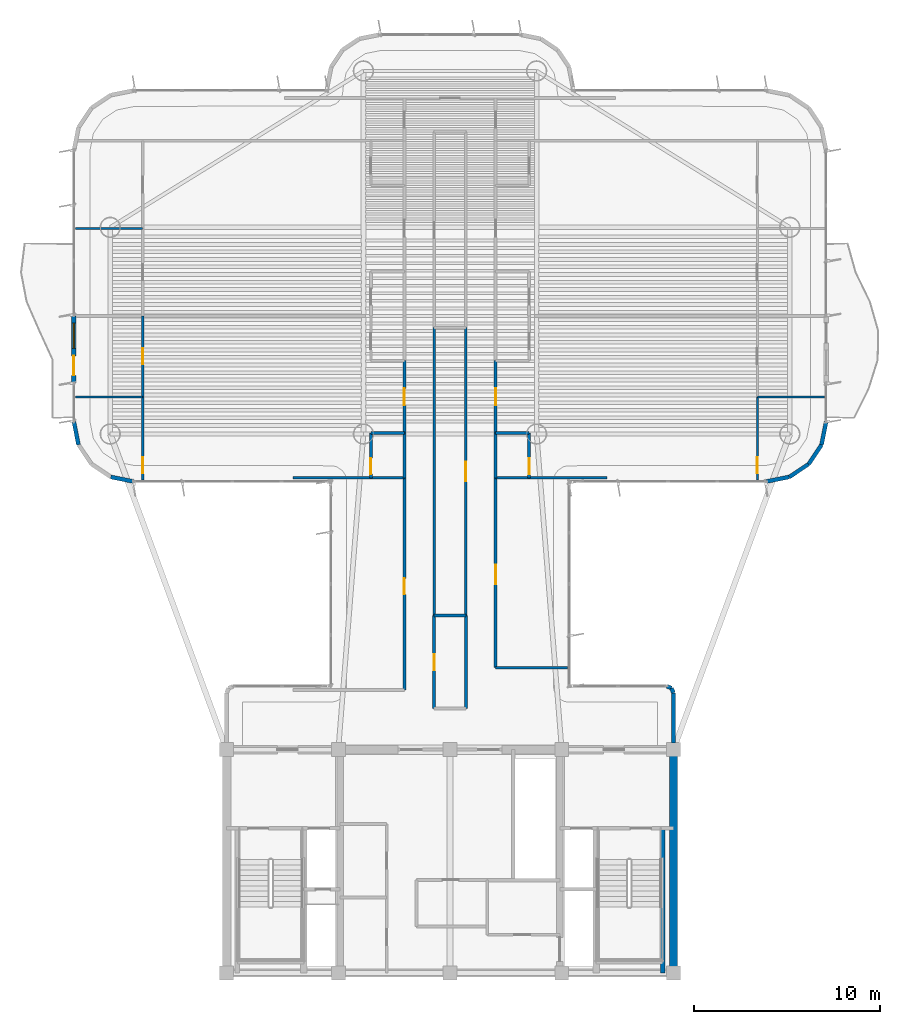
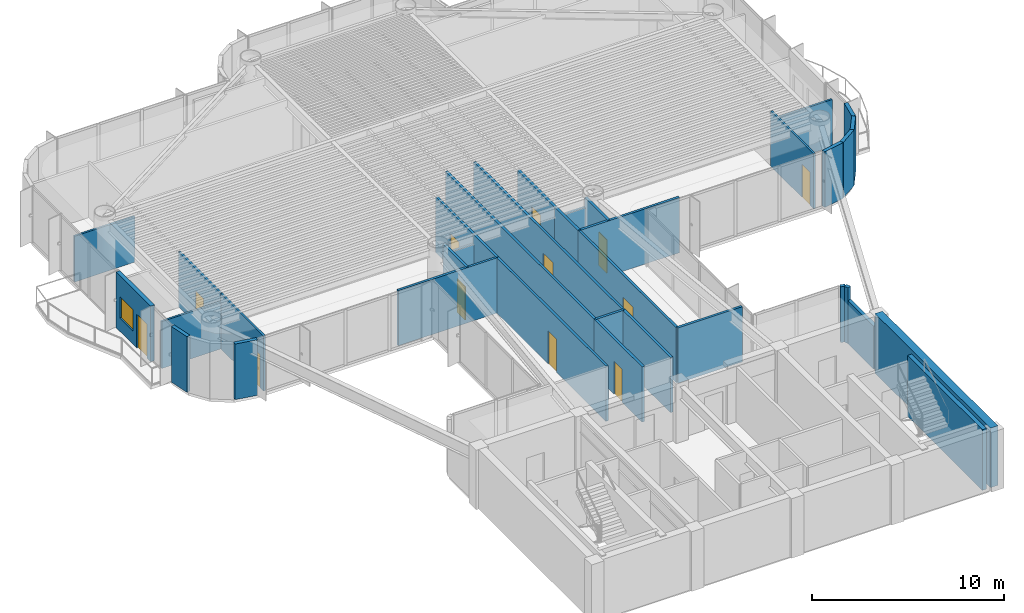
# One storey, part 10 of 15: 36 walls, 12 doors, 1 window, 13 openings.
"""IFC4 building model written with IfcOpenShell, lengths in metres."""

from ifc_helpers import new_model, si_unit, direction, frame, frame_2d, origin, origin_2d, place, context, subcontext, project, spatial, rectangle, extrude, source, transform, mapped, material, layer, layer_set, type_object, element, fill, save


model = new_model("IFC4")

# Units and contexts
model_context = context("Model", 3, precision=1e-05, world=origin(), true_north=direction((0.0, 1.0)))
body_context = subcontext(model_context, "Body", "Model", "MODEL_VIEW")
ifc_project = project(units=[si_unit("LENGTHUNIT", "METRE"), si_unit("AREAUNIT", "SQUARE_METRE"), si_unit("VOLUMEUNIT", "CUBIC_METRE"), si_unit("PLANEANGLEUNIT", "RADIAN"), si_unit("MASSUNIT", "GRAM", prefix="KILO")], contexts=[model_context])

# Site, building, storey
site_placement = place(None, origin())
site = spatial("IfcSite", under=ifc_project, at=site_placement, CompositionType="ELEMENT")
building_placement = place(site_placement, origin())
building = spatial("IfcBuilding", under=site, at=building_placement, Name="Brelvock Crest Care Tower", CompositionType="ELEMENT")
storey_placement = place(building_placement, frame((0.0, 0.0, 160.199951171875)))
storey = spatial("IfcBuildingStorey", under=building, at=storey_placement, Name="L40", CompositionType="ELEMENT", Elevation=160.199951171875)

# Walls
ifc_material_1 = material(Name="Concrete S65 (65 MPa)", Category="concrete")
ifc_layer_1 = layer(ifc_material_1, 0.449951171875, Name="WL-CS3")
ifc_layer_set_1 = layer_set([ifc_layer_1], Name="Concrete S65 (65 MPa)")
wall_type_1 = type_object("IfcWallType", Name="WL-CS3", PredefinedType="SHEAR", material=ifc_layer_set_1)
wall_1_placement = place(storey_placement, frame((48.0, 18.0, 0.0), z_axis=(0.0, 0.0, 1.0), x_axis=(0.0, -1.0, 0.0)))
element("IfcWall", 1, at=wall_1_placement, inside=storey, type_object=wall_type_1, Name="L40 Core East Shear Wall", PredefinedType="SHEAR", context=body_context, shape_type="SweptSolid", body=[
    extrude(rectangle(XDim=12.0, YDim=0.449951171875, at=frame_2d((6.0, 0.0))), origin(), (0.0, 0.0, 1.0), 3.780029296875),
])
ifc_material_2 = material(Name="Concrete S80 (80 MPa)", Category="concrete")
ifc_layer_2 = layer(ifc_material_2, 0.25, Name="WL-CS6")
ifc_layer_set_2 = layer_set([ifc_layer_2], Name="Concrete S80 (80 MPa)")
wall_type_2 = type_object("IfcWallType", Name="WL-CS6", PredefinedType="SHEAR", material=ifc_layer_set_2)
wall_2_placement = place(storey_placement, frame((47.419921875, 6.0, 0.0), z_axis=(0.0, 0.0, 1.0), x_axis=(0.0, 1.0, 0.0)))
element("IfcWall", 2, at=wall_2_placement, inside=storey, type_object=wall_type_2, Name="L40 Core Stair ST-2 East Shear Wall", PredefinedType="SHEAR", context=body_context, shape_type="SweptSolid", body=[
    extrude(rectangle(XDim=7.780029296875, YDim=0.25, at=frame_2d((3.89013671875, 0.0))), origin(), (0.0, 0.0, 1.0), 3.85009765625),
])

# Wall, openings, door, window
ifc_material_3 = material(Name="Precast concrete N40 (40 MPa)", Category="concrete")
ifc_layer_3 = layer(ifc_material_3, 0.239990234375, Name="WL-EX1")
ifc_layer_set_3 = layer_set([ifc_layer_3], Name="Precast concrete N40 (40 MPa)")
wall_type_3 = type_object("IfcWallType", Name="WL-EX1", PredefinedType="SOLIDWALL", material=ifc_layer_set_3)
wall_3_placement = place(storey_placement, frame((15.800048828125, 37.699951171875, 0.0), z_axis=(0.0, 0.0, 1.0), x_axis=(0.0, 1.0, 0.0)))
wall_3 = element("IfcWall", 3, at=wall_3_placement, inside=storey, type_object=wall_type_3, Name="L40 Exterior Spandrel Wall WL-BAL-L40-W", PredefinedType="SOLIDWALL", context=body_context, shape_type="SweptSolid", body=[
    extrude(rectangle(XDim=3.60009765625, YDim=0.239990234375, at=frame_2d((1.800048828125, 0.0))), origin(), (0.0, 0.0, 1.0), 3.530029296875),
])
opening_1_placement = place(wall_3_placement, frame((0.39990234375, 0.0, 0.0)))
opening_1 = element("IfcOpeningElement", 4, at=opening_1_placement, cuts=wall_3, Name="Opening BD-1", PredefinedType="OPENING", context=body_context, shape_type="SweptSolid", body=[
    extrude(rectangle(XDim=1.050048828125, YDim=2.14990234375, at=origin_2d()), frame((0.52490234375, 0.1298828125, 1.074951171875), z_axis=(0.0, -1.0, 0.0), x_axis=(1.0, 0.0, 0.0)), (0.0, 0.0, 1.0), 0.260009765625),
])
opening_2_placement = place(wall_3_placement, frame((1.85009765625, 0.0, 0.85009765625)))
opening_2 = element("IfcOpeningElement", 5, at=opening_2_placement, cuts=wall_3, Name="Opening W-01", PredefinedType="OPENING", context=body_context, shape_type="SweptSolid", body=[
    extrude(rectangle(XDim=1.35009765625, YDim=1.35009765625, at=origin_2d()), frame((0.675048828125, 0.1298828125, 0.675048828125), z_axis=(0.0, -1.0, 0.0), x_axis=(1.0, 0.0, 0.0)), (0.0, 0.0, 1.0), 0.260009765625),
])
ifc_material_4 = material(Name="Dark Glass Double Glazed Low-E", Category="glass")
door_type_1 = type_object("IfcDoorType", Name="DR-BAL1", OperationType="NOTDEFINED", PredefinedType="DOOR", material=ifc_material_4)
shared_shape_1 = source(origin(), body_context, "Body", "SweptSolid", [
    extrude(rectangle(XDim=1.050048828125, YDim=2.14990234375, at=origin_2d()), frame((0.52490234375, 0.02490234375, 1.074951171875), z_axis=(0.0, -1.0, 0.0), x_axis=(1.0, 0.0, 0.0)), (0.0, 0.0, 1.0), 0.050048828125),
])
door_1_placement = place(opening_1_placement, origin())
door_1 = element("IfcDoor", 6, at=door_1_placement, inside=storey, type_object=door_type_1, Name="L40 W Wave Balcony Glazed Door", OperationType="SINGLE_SWING_LEFT", OverallHeight=2.14990234375, OverallWidth=1.050048828125, PredefinedType="DOOR", context=body_context, shape_type="MappedRepresentation", body=[
    mapped(shared_shape_1, transform((0.0, 0.0, 0.0), x_axis=(1.0, 0.0, 0.0), y_axis=(0.0, 1.0, 0.0), z_axis=(0.0, 0.0, 1.0), scale=1.0)),
])
fill(opening_1, door_1)
window_type = type_object("IfcWindowType", Name="WN-EX1", PartitioningType="SINGLE_PANEL", PredefinedType="WINDOW", material=ifc_material_4)
shared_shape_2 = source(origin(), body_context, "Body", "SweptSolid", [
    extrude(rectangle(XDim=1.35009765625, YDim=1.35009765625, at=origin_2d()), frame((0.675048828125, 0.030029296875, 0.675048828125), z_axis=(0.0, -1.0, 0.0), x_axis=(1.0, 0.0, 0.0)), (0.0, 0.0, 1.0), 0.06005859375),
])
window_placement = place(opening_2_placement, origin())
window = element("IfcWindow", 7, at=window_placement, inside=storey, type_object=window_type, Name="L40 W Suite Casement Window", OverallHeight=1.35009765625, OverallWidth=1.35009765625, PartitioningType="SINGLE_PANEL", PredefinedType="WINDOW", context=body_context, shape_type="MappedRepresentation", body=[
    mapped(shared_shape_2, transform((0.0, 0.0, 0.0), x_axis=(1.0, 0.0, 0.0), y_axis=(0.0, 1.0, 0.0), z_axis=(0.0, 0.0, 1.0), scale=1.0)),
])
fill(opening_2, window)

# Walls
ifc_layer_4 = layer(ifc_material_3, 0.215087890625, Name="WL-EX2")
ifc_layer_set_4 = layer_set([ifc_layer_4], Name="Precast concrete N40 (40 MPa)")
wall_type_4 = type_object("IfcWallType", Name="WL-EX2", PredefinedType="SOLIDWALL", material=ifc_layer_set_4)
wall_4_placement = place(storey_placement, frame((47.8974609375, 21.297607421875, 0.0), z_axis=(0.0, 0.0, 1.0), x_axis=(0.382673670509, -0.923883575944, 0.0)))
element("IfcWall", 8, at=wall_4_placement, inside=storey, type_object=wall_type_4, Name="L40 Rounded Corner Wall 00", PredefinedType="SOLIDWALL", context=body_context, shape_type="SweptSolid", body=[
    extrude(rectangle(XDim=0.26806640625, YDim=0.215087890625, at=frame_2d((0.134033203125, 0.0))), origin(), (0.0, 0.0, 1.0), 3.530029296875),
])
wall_5_placement = place(storey_placement, frame((48.0, 21.050048828125, 0.0), z_axis=(0.0, 0.0, 1.0), x_axis=(0.0, -1.0, 0.0)))
element("IfcWall", 9, at=wall_5_placement, inside=storey, type_object=wall_type_4, Name="L40 Rounded Corner Wall 01", PredefinedType="SOLIDWALL", context=body_context, shape_type="SweptSolid", body=[
    extrude(rectangle(XDim=2.695068359375, YDim=0.215087890625, at=frame_2d((1.34765625, 0.0))), origin(), (0.0, 0.0, 1.0), 2.718017578125),
])
for number, where, z_axis, x_axis, name in (
    (10, (19.0, 32.39990234375, 0.0), (0.0, 0.0, 1.0), (-0.980775717779, 0.195138390419, 0.0), "L40 Rounded Corner Wall 13"),
    (11, (16.043701171875, 34.37548828125, 0.0), (0.0, 0.0, 1.0), (-0.195138390419, 0.980775717779, 0.0), "L40 Rounded Corner Wall 16"),
    (12, (56.199951171875, 35.60009765625, 0.0), (0.0, 0.0, 1.0), (-0.195138390419, -0.980775717779, 0.0), "L40 Rounded Corner Wall 40"),
    (13, (55.956298828125, 34.37548828125, 0.0), (0.0, 0.0, 1.0), (-0.555557312883, -0.831478245117, 0.0), "L40 Rounded Corner Wall 41"),
    (14, (55.2626953125, 33.33740234375, 0.0), (0.0, 0.0, 1.0), (-0.831387912822, -0.555692485475, 0.0), "L40 Rounded Corner Wall 42"),
    (15, (54.224609375, 32.6435546875, 0.0), (0.0, 0.0, 1.0), (-0.980775717779, -0.195138390419, 0.0), "L40 Rounded Corner Wall 43"),
):
    element("IfcWall", number, at=place(storey_placement, frame(where, z_axis=z_axis, x_axis=x_axis)), inside=storey, type_object=wall_type_4, Name=name, PredefinedType="SOLIDWALL", context=body_context, shape_type="SweptSolid", body=[
        extrude(rectangle(XDim=1.24853515625, YDim=0.215087890625, at=frame_2d((0.624267578125, 0.0))), origin(), (0.0, 0.0, 1.0), 3.530029296875),
    ])
wall_6_placement = place(storey_placement, frame((47.64990234375, 21.39990234375, 0.0), z_axis=(0.0, 0.0, 1.0), x_axis=(0.924205486139, -0.381895560841, 0.0)))
element("IfcWall", 16, at=wall_6_placement, inside=storey, type_object=wall_type_4, Name="L40 Rounded Corner Wall 47", PredefinedType="SOLIDWALL", context=body_context, shape_type="SweptSolid", body=[
    extrude(rectangle(XDim=0.267822265625, YDim=0.215087890625, at=frame_2d((0.1337890625, 0.0))), origin(), (0.0, 0.0, 1.0), 3.530029296875),
])
ifc_material_5 = material(Name="Masonry Blockwork Acoustic Partition", Category="masonry")
ifc_layer_5 = layer(ifc_material_5, 0.14990234375, Name="WL-INT1")
ifc_layer_set_5 = layer_set([ifc_layer_5], Name="Masonry Blockwork Acoustic Partition")
wall_type_5 = type_object("IfcWallType", Name="WL-INT1", PredefinedType="PARTITIONING", material=ifc_layer_set_5)
wall_7_placement = place(storey_placement, frame((38.449951171875, 22.39990234375, 0.0), z_axis=(0.0, 0.0, 1.0), x_axis=(1.0, 0.0, 0.0)))
element("IfcWall", 17, at=wall_7_placement, inside=storey, type_object=wall_type_5, Name="L40 Interior Wall WL-BX-L40-THRE-S", PredefinedType="PARTITIONING", context=body_context, shape_type="SweptSolid", body=[
    extrude(rectangle(XDim=3.8701171875, YDim=0.14990234375, at=frame_2d((1.93505859375, 0.0))), origin(), (0.0, 0.0, 1.0), 3.5),
])
wall_8_placement = place(storey_placement, frame((27.55712890625, 32.60009765625, 0.0), z_axis=(0.0, 0.0, 1.0), x_axis=(1.0, 0.0, 0.0)))
element("IfcWall", 18, at=wall_8_placement, inside=storey, type_object=wall_type_5, Name="L40 Interior Wall WL-BX-L40-FL-WF1-S2", PredefinedType="PARTITIONING", context=body_context, shape_type="SweptSolid", body=[
    extrude(rectangle(XDim=5.992919921875, YDim=0.14990234375, at=frame_2d((2.99658203125, 0.0))), origin(), (0.0, 0.0, 1.0), 3.5),
])
wall_9_placement = place(storey_placement, frame((38.449951171875, 32.60009765625, 0.0), z_axis=(0.0, 0.0, 1.0), x_axis=(1.0, 0.0, 0.0)))
element("IfcWall", 19, at=wall_9_placement, inside=storey, type_object=wall_type_5, Name="L40 Interior Wall WL-BX-L40-FL-EF1-S", PredefinedType="PARTITIONING", context=body_context, shape_type="SweptSolid", body=[
    extrude(rectangle(XDim=5.993408203125, YDim=0.14990234375, at=frame_2d((2.99658203125, 0.0))), origin(), (0.0, 0.0, 1.0), 3.5),
])

# Wall, opening, door
wall_10_placement = place(storey_placement, frame((33.550048828125, 21.199951171875, 0.0), z_axis=(0.0, 0.0, 1.0), x_axis=(0.0, 1.0, 0.0)))
wall_10 = element("IfcWall", 20, at=wall_10_placement, inside=storey, type_object=wall_type_5, Name="L40 Interior Wall WL-RM-L40-THRW", PredefinedType="PARTITIONING", context=body_context, shape_type="SweptSolid", body=[
    extrude(rectangle(XDim=11.400146484375, YDim=0.14990234375, at=frame_2d((5.7001953125, 0.0))), origin(), (0.0, 0.0, 1.0), 3.5),
])
opening_3_placement = place(wall_10_placement, frame((5.139892578125, 0.0, 0.0)))
opening_3 = element("IfcOpeningElement", 21, at=opening_3_placement, cuts=wall_10, Name="Opening ID-1", PredefinedType="OPENING", context=body_context, shape_type="SweptSolid", body=[
    extrude(rectangle(XDim=0.860107421875, YDim=2.10009765625, at=origin_2d()), frame((0.43017578125, 0.0849609375, 1.050048828125), z_axis=(0.0, -1.0, 0.0), x_axis=(1.0, 0.0, 0.0)), (0.0, 0.0, 1.0), 0.169921875),
])
ifc_material_6 = material(Name="Engineered Hardwood Timber", Category="wood")
door_type_2 = type_object("IfcDoorType", Name="DR-INT1", OperationType="NOTDEFINED", PredefinedType="DOOR", material=ifc_material_6)
shared_shape_3 = source(origin(), body_context, "Body", "SweptSolid", [
    extrude(rectangle(XDim=0.860107421875, YDim=2.10009765625, at=origin_2d()), frame((0.43017578125, 0.02490234375, 1.050048828125), z_axis=(0.0, -1.0, 0.0), x_axis=(1.0, 0.0, 0.0)), (0.0, 0.0, 1.0), 0.050048828125),
])
door_2_placement = place(opening_3_placement, origin())
door_2 = element("IfcDoor", 22, at=door_2_placement, inside=storey, type_object=door_type_2, Name="L40 Quiet Family Consultation Room Door THRW", OperationType="SINGLE_SWING_LEFT", OverallHeight=2.10009765625, OverallWidth=0.860107421875, PredefinedType="DOOR", context=body_context, shape_type="MappedRepresentation", body=[
    mapped(shared_shape_3, transform((0.0, 0.0, 0.0), x_axis=(1.0, 0.0, 0.0), y_axis=(0.0, 1.0, 0.0), z_axis=(0.0, 0.0, 1.0), scale=1.0)),
])
fill(opening_3, door_2)

wall_11_placement = place(storey_placement, frame((33.550048828125, 35.0, 0.0), z_axis=(0.0, 0.0, 1.0), x_axis=(0.0, 1.0, 0.0)))
wall_11 = element("IfcWall", 23, at=wall_11_placement, inside=storey, type_object=wall_type_5, Name="L40 Interior Wall WL-UENT-L40-WF1", PredefinedType="PARTITIONING", context=body_context, shape_type="SweptSolid", body=[
    extrude(rectangle(XDim=3.887939453125, YDim=0.14990234375, at=frame_2d((1.94384765625, 0.0))), origin(), (0.0, 0.0, 1.0), 3.5),
])
opening_4_placement = place(wall_11_placement, frame((1.48388671875, 0.0, 0.0)))
opening_4 = element("IfcOpeningElement", 24, at=opening_4_placement, cuts=wall_11, Name="Opening AD-1", PredefinedType="OPENING", context=body_context, shape_type="SweptSolid", body=[
    extrude(rectangle(XDim=0.919921875, YDim=2.10009765625, at=origin_2d()), frame((0.4599609375, 0.0849609375, 1.050048828125), z_axis=(0.0, -1.0, 0.0), x_axis=(1.0, 0.0, 0.0)), (0.0, 0.0, 1.0), 0.169921875),
])
door_type_3 = type_object("IfcDoorType", Name="DR-APT1", OperationType="NOTDEFINED", PredefinedType="DOOR", material=ifc_material_6)
shared_shape_4 = source(origin(), body_context, "Body", "SweptSolid", [
    extrude(rectangle(XDim=0.919921875, YDim=2.10009765625, at=origin_2d()), frame((0.4599609375, 0.02490234375, 1.050048828125), z_axis=(0.0, -1.0, 0.0), x_axis=(1.0, 0.0, 0.0)), (0.0, 0.0, 1.0), 0.050048828125),
])
door_3_placement = place(opening_4_placement, origin())
door_3 = element("IfcDoor", 25, at=door_3_placement, inside=storey, type_object=door_type_3, Name="L40 Apartment Entrance WF1", OperationType="SINGLE_SWING_LEFT", OverallHeight=2.10009765625, OverallWidth=0.919921875, PredefinedType="DOOR", context=body_context, shape_type="MappedRepresentation", body=[
    mapped(shared_shape_4, transform((0.0, 0.0, 0.0), x_axis=(1.0, 0.0, 0.0), y_axis=(0.0, 1.0, 0.0), z_axis=(0.0, 0.0, 1.0), scale=1.0)),
])
fill(opening_4, door_3)

# Wall
wall_12_placement = place(storey_placement, frame((35.14990234375, 25.199951171875, 0.0), z_axis=(0.0, 0.0, 1.0), x_axis=(0.0, 1.0, 0.0)))
element("IfcWall", 26, at=wall_12_placement, inside=storey, type_object=wall_type_5, Name="L40 Interior Wall WL-BX-L40-ISNS-W", PredefinedType="PARTITIONING", context=body_context, shape_type="SweptSolid", body=[
    extrude(rectangle(XDim=15.4599609375, YDim=0.14990234375, at=frame_2d((7.72998046875, 0.0))), origin(), (0.0, 0.0, 1.0), 3.5),
])

# Wall, opening, door
wall_13_placement = place(storey_placement, frame((36.85009765625, 25.199951171875, 0.0), z_axis=(0.0, 0.0, 1.0), x_axis=(0.0, 1.0, 0.0)))
wall_13 = element("IfcWall", 27, at=wall_13_placement, inside=storey, type_object=wall_type_5, Name="L40 Interior Wall WL-RM-L40-ISNS", PredefinedType="PARTITIONING", context=body_context, shape_type="SweptSolid", body=[
    extrude(rectangle(XDim=15.4599609375, YDim=0.14990234375, at=frame_2d((7.72998046875, 0.0))), origin(), (0.0, 0.0, 1.0), 3.5),
])
opening_5_placement = place(wall_13_placement, frame((7.205078125, 0.0, 0.0)))
opening_5 = element("IfcOpeningElement", 28, at=opening_5_placement, cuts=wall_13, Name="Opening CLD-1", PredefinedType="OPENING", context=body_context, shape_type="SweptSolid", body=[
    extrude(rectangle(XDim=1.050048828125, YDim=2.10009765625, at=origin_2d()), frame((0.52490234375, 0.0849609375, 1.050048828125), z_axis=(0.0, -1.0, 0.0), x_axis=(1.0, 0.0, 0.0)), (0.0, 0.0, 1.0), 0.169921875),
])
door_type_4 = type_object("IfcDoorType", Name="DR-CLN1", OperationType="NOTDEFINED", PredefinedType="DOOR", material=ifc_material_6)
shared_shape_5 = source(origin(), body_context, "Body", "SweptSolid", [
    extrude(rectangle(XDim=1.050048828125, YDim=2.10009765625, at=origin_2d()), frame((0.52490234375, 0.02490234375, 1.050048828125), z_axis=(0.0, -1.0, 0.0), x_axis=(1.0, 0.0, 0.0)), (0.0, 0.0, 1.0), 0.050048828125),
])
door_4_placement = place(opening_5_placement, origin())
door_4 = element("IfcDoor", 29, at=door_4_placement, inside=storey, type_object=door_type_4, Name="L40 Care Concierge and Triage Station Door ISNS", OperationType="SINGLE_SWING_LEFT", OverallHeight=2.10009765625, OverallWidth=1.050048828125, PredefinedType="DOOR", context=body_context, shape_type="MappedRepresentation", body=[
    mapped(shared_shape_5, transform((0.0, 0.0, 0.0), x_axis=(1.0, 0.0, 0.0), y_axis=(0.0, 1.0, 0.0), z_axis=(0.0, 0.0, 1.0), scale=1.0)),
])
fill(opening_5, door_4)

wall_14_placement = place(storey_placement, frame((38.449951171875, 22.39990234375, 0.0), z_axis=(0.0, 0.0, 1.0), x_axis=(0.0, 1.0, 0.0)))
wall_14 = element("IfcWall", 30, at=wall_14_placement, inside=storey, type_object=wall_type_5, Name="L40 Interior Wall WL-RM-L40-THRE", PredefinedType="PARTITIONING", context=body_context, shape_type="SweptSolid", body=[
    extrude(rectangle(XDim=10.2001953125, YDim=0.14990234375, at=frame_2d((5.10009765625, 0.0))), origin(), (0.0, 0.0, 1.0), 3.5),
])
opening_6_placement = place(wall_14_placement, frame((4.47509765625, 0.0, 0.0)))
opening_6 = element("IfcOpeningElement", 31, at=opening_6_placement, cuts=wall_14, Name="Opening CLD-1", PredefinedType="OPENING", context=body_context, shape_type="SweptSolid", body=[
    extrude(rectangle(XDim=1.050048828125, YDim=2.10009765625, at=origin_2d()), frame((0.52490234375, 0.0849609375, 1.050048828125), z_axis=(0.0, -1.0, 0.0), x_axis=(1.0, 0.0, 0.0)), (0.0, 0.0, 1.0), 0.169921875),
])
door_5_placement = place(opening_6_placement, origin())
door_5 = element("IfcDoor", 32, at=door_5_placement, inside=storey, type_object=door_type_4, Name="L40 Allied Health Therapy Room Door THRE", OperationType="SINGLE_SWING_LEFT", OverallHeight=2.10009765625, OverallWidth=1.050048828125, PredefinedType="DOOR", context=body_context, shape_type="MappedRepresentation", body=[
    mapped(shared_shape_5, transform((0.0, 0.0, 0.0), x_axis=(1.0, 0.0, 0.0), y_axis=(0.0, 1.0, 0.0), z_axis=(0.0, 0.0, 1.0), scale=1.0)),
])
fill(opening_6, door_5)

wall_15_placement = place(storey_placement, frame((38.449951171875, 35.0, 0.0), z_axis=(0.0, 0.0, 1.0), x_axis=(0.0, 1.0, 0.0)))
wall_15 = element("IfcWall", 33, at=wall_15_placement, inside=storey, type_object=wall_type_5, Name="L40 Interior Wall WL-UENT-L40-EF1", PredefinedType="PARTITIONING", context=body_context, shape_type="SweptSolid", body=[
    extrude(rectangle(XDim=3.887939453125, YDim=0.14990234375, at=frame_2d((1.94384765625, 0.0))), origin(), (0.0, 0.0, 1.0), 3.5),
])
opening_7_placement = place(wall_15_placement, frame((1.48388671875, 0.0, 0.0)))
opening_7 = element("IfcOpeningElement", 34, at=opening_7_placement, cuts=wall_15, Name="Opening AD-1", PredefinedType="OPENING", context=body_context, shape_type="SweptSolid", body=[
    extrude(rectangle(XDim=0.919921875, YDim=2.10009765625, at=origin_2d()), frame((0.4599609375, 0.0849609375, 1.050048828125), z_axis=(0.0, -1.0, 0.0), x_axis=(1.0, 0.0, 0.0)), (0.0, 0.0, 1.0), 0.169921875),
])
door_6_placement = place(opening_7_placement, origin())
door_6 = element("IfcDoor", 35, at=door_6_placement, inside=storey, type_object=door_type_3, Name="L40 Apartment Entrance EF1", OperationType="SINGLE_SWING_LEFT", OverallHeight=2.10009765625, OverallWidth=0.919921875, PredefinedType="DOOR", context=body_context, shape_type="MappedRepresentation", body=[
    mapped(shared_shape_4, transform((0.0, 0.0, 0.0), x_axis=(1.0, 0.0, 0.0), y_axis=(0.0, 1.0, 0.0), z_axis=(0.0, 0.0, 1.0), scale=1.0)),
])
fill(opening_7, door_6)

# Walls
ifc_material_7 = material(Name="Gypsum Plasterboard Partition", Category="gypsum")
ifc_layer_6 = layer(ifc_material_7, 0.1201171875, Name="WL-INT2")
ifc_layer_set_6 = layer_set([ifc_layer_6], Name="Gypsum Plasterboard Partition")
wall_type_6 = type_object("IfcWallType", Name="WL-INT2", PredefinedType="PARTITIONING", material=ifc_layer_set_6)
for number, where, z_axis, x_axis, name in (
    (36, (15.8798828125, 36.944091796875, 0.0), (0.0, 0.0, 1.0), (1.0, 0.0, 0.0), "L40 Interior Wall WL-UBSP-L40-WF1"),
    (37, (52.510009765625, 36.944091796875, 0.0), (0.0, 0.0, 1.0), (1.0, 0.0, 0.0), "L40 Interior Wall WL-UBSP-L40-EF1"),
):
    element("IfcWall", number, at=place(storey_placement, frame(where, z_axis=z_axis, x_axis=x_axis)), inside=storey, type_object=wall_type_6, Name=name, PredefinedType="PARTITIONING", context=body_context, shape_type="SweptSolid", body=[
        extrude(rectangle(XDim=3.610107421875, YDim=0.1201171875, at=frame_2d((1.80517578125, 0.0))), origin(), (0.0, 0.0, 1.0), 2.98193359375),
    ])
wall_16_placement = place(storey_placement, frame((15.8798828125, 45.993896484375, 0.0), z_axis=(0.0, 0.0, 1.0), x_axis=(1.0, 0.0, 0.0)))
element("IfcWall", 38, at=wall_16_placement, inside=storey, type_object=wall_type_6, Name="L40 Interior Wall WL-UBSP-L40-WF2", PredefinedType="PARTITIONING", context=body_context, shape_type="SweptSolid", body=[
    extrude(rectangle(XDim=3.610107421875, YDim=0.1201171875, at=frame_2d((1.80517578125, 0.0))), origin(), (0.0, 0.0, 1.0), 2.903076171875),
])

# Wall, opening, door
wall_17_placement = place(storey_placement, frame((19.489990234375, 32.47998046875, 0.0), z_axis=(0.0, 0.0, 1.0), x_axis=(0.0, 1.0, 0.0)))
wall_17 = element("IfcWall", 39, at=wall_17_placement, inside=storey, type_object=wall_type_6, Name="L40 Interior Wall WL-UBD1-L40-WF1", PredefinedType="PARTITIONING", context=body_context, shape_type="SweptSolid", body=[
    extrude(rectangle(XDim=4.464111328125, YDim=0.1201171875, at=frame_2d((2.23193359375, 0.0))), origin(), (0.0, 0.0, 1.0), 3.5),
])
opening_8_placement = place(wall_17_placement, frame((0.362060546875, 0.0, 0.0)))
opening_8 = element("IfcOpeningElement", 40, at=opening_8_placement, cuts=wall_17, Name="Opening ID-1", PredefinedType="OPENING", context=body_context, shape_type="SweptSolid", body=[
    extrude(rectangle(XDim=0.860107421875, YDim=2.10009765625, at=origin_2d()), frame((0.43017578125, 0.070068359375, 1.050048828125), z_axis=(0.0, -1.0, 0.0), x_axis=(1.0, 0.0, 0.0)), (0.0, 0.0, 1.0), 0.14013671875),
])
door_7_placement = place(opening_8_placement, origin())
door_7 = element("IfcDoor", 41, at=door_7_placement, inside=storey, type_object=door_type_2, Name="L40 Primary Bedroom Door WF1", OperationType="SINGLE_SWING_RIGHT", OverallHeight=2.10009765625, OverallWidth=0.860107421875, PredefinedType="DOOR", context=body_context, shape_type="MappedRepresentation", body=[
    mapped(shared_shape_3, transform((0.0, 0.0, 0.0), x_axis=(1.0, 0.0, 0.0), y_axis=(0.0, 1.0, 0.0), z_axis=(0.0, 0.0, 1.0), scale=1.0)),
])
fill(opening_8, door_7)

wall_18_placement = place(storey_placement, frame((19.489990234375, 36.944091796875, 0.0), z_axis=(0.0, 0.0, 1.0), x_axis=(0.0, 1.0, 0.0)))
wall_18 = element("IfcWall", 42, at=wall_18_placement, inside=storey, type_object=wall_type_6, Name="L40 Interior Wall WL-UBD2-L40-WF1", PredefinedType="PARTITIONING", context=body_context, shape_type="SweptSolid", body=[
    extrude(rectangle(XDim=4.343994140625, YDim=0.1201171875, at=frame_2d((2.171875, 0.0))), origin(), (0.0, 0.0, 1.0), 3.5),
])
opening_9_placement = place(wall_18_placement, frame((1.741943359375, 0.0, 0.0)))
opening_9 = element("IfcOpeningElement", 43, at=opening_9_placement, cuts=wall_18, Name="Opening ID-1", PredefinedType="OPENING", context=body_context, shape_type="SweptSolid", body=[
    extrude(rectangle(XDim=0.860107421875, YDim=2.10009765625, at=origin_2d()), frame((0.43017578125, 0.070068359375, 1.050048828125), z_axis=(0.0, -1.0, 0.0), x_axis=(1.0, 0.0, 0.0)), (0.0, 0.0, 1.0), 0.14013671875),
])
door_8_placement = place(opening_9_placement, origin())
door_8 = element("IfcDoor", 44, at=door_8_placement, inside=storey, type_object=door_type_2, Name="L40 Second Room Door WF1", OperationType="SINGLE_SWING_LEFT", OverallHeight=2.10009765625, OverallWidth=0.860107421875, PredefinedType="DOOR", context=body_context, shape_type="MappedRepresentation", body=[
    mapped(shared_shape_3, transform((0.0, 0.0, 0.0), x_axis=(1.0, 0.0, 0.0), y_axis=(0.0, 1.0, 0.0), z_axis=(0.0, 0.0, 1.0), scale=1.0)),
])
fill(opening_9, door_8)

wall_19_placement = place(storey_placement, frame((52.510009765625, 32.47998046875, 0.0), z_axis=(0.0, 0.0, 1.0), x_axis=(0.0, 1.0, 0.0)))
wall_19 = element("IfcWall", 45, at=wall_19_placement, inside=storey, type_object=wall_type_6, Name="L40 Interior Wall WL-UBD1-L40-EF1", PredefinedType="PARTITIONING", context=body_context, shape_type="SweptSolid", body=[
    extrude(rectangle(XDim=4.464111328125, YDim=0.1201171875, at=frame_2d((2.23193359375, 0.0))), origin(), (0.0, 0.0, 1.0), 3.5),
])
opening_10_placement = place(wall_19_placement, frame((0.362060546875, 0.0, 0.0)))
opening_10 = element("IfcOpeningElement", 46, at=opening_10_placement, cuts=wall_19, Name="Opening ID-1", PredefinedType="OPENING", context=body_context, shape_type="SweptSolid", body=[
    extrude(rectangle(XDim=0.860107421875, YDim=2.10009765625, at=origin_2d()), frame((0.43017578125, 0.070068359375, 1.050048828125), z_axis=(0.0, -1.0, 0.0), x_axis=(1.0, 0.0, 0.0)), (0.0, 0.0, 1.0), 0.14013671875),
])
door_9_placement = place(opening_10_placement, origin())
door_9 = element("IfcDoor", 47, at=door_9_placement, inside=storey, type_object=door_type_2, Name="L40 Primary Bedroom Door EF1", OperationType="SINGLE_SWING_RIGHT", OverallHeight=2.10009765625, OverallWidth=0.860107421875, PredefinedType="DOOR", context=body_context, shape_type="MappedRepresentation", body=[
    mapped(shared_shape_3, transform((0.0, 0.0, 0.0), x_axis=(1.0, 0.0, 0.0), y_axis=(0.0, 1.0, 0.0), z_axis=(0.0, 0.0, 1.0), scale=1.0)),
])
fill(opening_10, door_9)

# Walls
ifc_layer_7 = layer(ifc_material_7, 0.159912109375, Name="WL-PLM1")
ifc_layer_set_7 = layer_set([ifc_layer_7], Name="Gypsum Plasterboard Partition")
wall_type_7 = type_object("IfcWallType", Name="WL-PLM1", PredefinedType="PLUMBINGWALL", material=ifc_layer_set_7)
wall_20_placement = place(storey_placement, frame((35.14990234375, 25.199951171875, 0.0), z_axis=(0.0, 0.0, 1.0), x_axis=(1.0, 0.0, 0.0)))
element("IfcWall", 48, at=wall_20_placement, inside=storey, type_object=wall_type_7, Name="L40 Interior Wall WL-BX-L40-ISNS-S", PredefinedType="PLUMBINGWALL", context=body_context, shape_type="SweptSolid", body=[
    extrude(rectangle(XDim=1.7001953125, YDim=0.159912109375, at=frame_2d((0.85009765625, 0.0))), origin(), (0.0, 0.0, 1.0), 3.5),
])
for number, where, z_axis, x_axis, name in (
    (49, (31.75, 35.0, 0.0), (0.0, 0.0, 1.0), (1.0, 0.0, 0.0), "L40 Interior Wall WL-UBTH2-L40-WF1"),
    (50, (38.449951171875, 35.0, 0.0), (0.0, 0.0, 1.0), (1.0, 0.0, 0.0), "L40 Interior Wall WL-UBTH2-L40-EF1"),
):
    element("IfcWall", number, at=place(storey_placement, frame(where, z_axis=z_axis, x_axis=x_axis)), inside=storey, type_object=wall_type_7, Name=name, PredefinedType="PLUMBINGWALL", context=body_context, shape_type="SweptSolid", body=[
        extrude(rectangle(XDim=1.800048828125, YDim=0.159912109375, at=frame_2d((0.89990234375, 0.0))), origin(), (0.0, 0.0, 1.0), 2.903076171875),
    ])

# Wall, opening, door
wall_21_placement = place(storey_placement, frame((31.75, 32.60009765625, 0.0), z_axis=(0.0, 0.0, 1.0), x_axis=(0.0, 1.0, 0.0)))
wall_21 = element("IfcWall", 51, at=wall_21_placement, inside=storey, type_object=wall_type_7, Name="L40 Interior Wall WL-UBTH1-L40-WF1", PredefinedType="PLUMBINGWALL", context=body_context, shape_type="SweptSolid", body=[
    extrude(rectangle(XDim=2.39990234375, YDim=0.159912109375, at=frame_2d((1.199951171875, 0.0))), origin(), (0.0, 0.0, 1.0), 3.5),
])
opening_11_placement = place(wall_21_placement, frame((0.199951171875, 0.0, 0.0)))
opening_11 = element("IfcOpeningElement", 52, at=opening_11_placement, cuts=wall_21, Name="Opening WD-1", PredefinedType="OPENING", context=body_context, shape_type="SweptSolid", body=[
    extrude(rectangle(XDim=0.860107421875, YDim=2.10009765625, at=origin_2d()), frame((0.43017578125, 0.08984375, 1.050048828125), z_axis=(0.0, -1.0, 0.0), x_axis=(1.0, 0.0, 0.0)), (0.0, 0.0, 1.0), 0.179931640625),
])
door_type_5 = type_object("IfcDoorType", Name="DR-WC1", OperationType="NOTDEFINED", PredefinedType="DOOR", material=ifc_material_6)
shared_shape_6 = source(origin(), body_context, "Body", "SweptSolid", [
    extrude(rectangle(XDim=0.860107421875, YDim=2.10009765625, at=origin_2d()), frame((0.43017578125, 0.02490234375, 1.050048828125), z_axis=(0.0, -1.0, 0.0), x_axis=(1.0, 0.0, 0.0)), (0.0, 0.0, 1.0), 0.050048828125),
])
door_10_placement = place(opening_11_placement, origin())
door_10 = element("IfcDoor", 53, at=door_10_placement, inside=storey, type_object=door_type_5, Name="L40 Bathroom Door WF1", OperationType="SINGLE_SWING_LEFT", OverallHeight=2.10009765625, OverallWidth=0.860107421875, PredefinedType="DOOR", context=body_context, shape_type="MappedRepresentation", body=[
    mapped(shared_shape_6, transform((0.0, 0.0, 0.0), x_axis=(1.0, 0.0, 0.0), y_axis=(0.0, 1.0, 0.0), z_axis=(0.0, 0.0, 1.0), scale=1.0)),
])
fill(opening_11, door_10)

# Wall
wall_22_placement = place(storey_placement, frame((33.550048828125, 32.60009765625, 0.0), z_axis=(0.0, 0.0, 1.0), x_axis=(0.0, 1.0, 0.0)))
element("IfcWall", 54, at=wall_22_placement, inside=storey, type_object=wall_type_7, Name="L40 Interior Wall WL-UCB-L40-WF1", PredefinedType="PLUMBINGWALL", context=body_context, shape_type="SweptSolid", body=[
    extrude(rectangle(XDim=2.39990234375, YDim=0.159912109375, at=frame_2d((1.199951171875, 0.0))), origin(), (0.0, 0.0, 1.0), 3.5),
])

# Wall, opening, door
wall_23_placement = place(storey_placement, frame((35.14990234375, 20.199951171875, 0.0), z_axis=(0.0, 0.0, 1.0), x_axis=(0.0, 1.0, 0.0)))
wall_23 = element("IfcWall", 55, at=wall_23_placement, inside=storey, type_object=wall_type_7, Name="L40 Interior Wall WL-RM-L40-ISWC", PredefinedType="PLUMBINGWALL", context=body_context, shape_type="SweptSolid", body=[
    extrude(rectangle(XDim=5.0, YDim=0.159912109375, at=frame_2d((2.5, 0.0))), origin(), (0.0, 0.0, 1.0), 3.5),
])
opening_12_placement = place(wall_23_placement, frame((2.070068359375, 0.0, 0.0)))
opening_12 = element("IfcOpeningElement", 56, at=opening_12_placement, cuts=wall_23, Name="Opening WD-1", PredefinedType="OPENING", context=body_context, shape_type="SweptSolid", body=[
    extrude(rectangle(XDim=0.860107421875, YDim=2.10009765625, at=origin_2d()), frame((0.43017578125, 0.08984375, 1.050048828125), z_axis=(0.0, -1.0, 0.0), x_axis=(1.0, 0.0, 0.0)), (0.0, 0.0, 1.0), 0.179931640625),
])
door_11_placement = place(opening_12_placement, origin())
door_11 = element("IfcDoor", 57, at=door_11_placement, inside=storey, type_object=door_type_5, Name="L40 High-Zone Accessible WC Door ISWC", OperationType="SINGLE_SWING_LEFT", OverallHeight=2.10009765625, OverallWidth=0.860107421875, PredefinedType="DOOR", context=body_context, shape_type="MappedRepresentation", body=[
    mapped(shared_shape_6, transform((0.0, 0.0, 0.0), x_axis=(1.0, 0.0, 0.0), y_axis=(0.0, 1.0, 0.0), z_axis=(0.0, 0.0, 1.0), scale=1.0)),
])
fill(opening_12, door_11)

# Walls
wall_24_placement = place(storey_placement, frame((36.85009765625, 20.199951171875, 0.0), z_axis=(0.0, 0.0, 1.0), x_axis=(0.0, 1.0, 0.0)))
element("IfcWall", 58, at=wall_24_placement, inside=storey, type_object=wall_type_7, Name="L40 Interior Wall WL-BX-L40-ISWC-E", PredefinedType="PLUMBINGWALL", context=body_context, shape_type="SweptSolid", body=[
    extrude(rectangle(XDim=5.0, YDim=0.159912109375, at=frame_2d((2.5, 0.0))), origin(), (0.0, 0.0, 1.0), 3.5),
])
wall_25_placement = place(storey_placement, frame((38.449951171875, 32.60009765625, 0.0), z_axis=(0.0, 0.0, 1.0), x_axis=(0.0, 1.0, 0.0)))
element("IfcWall", 59, at=wall_25_placement, inside=storey, type_object=wall_type_7, Name="L40 Interior Wall WL-UCB-L40-EF1", PredefinedType="PLUMBINGWALL", context=body_context, shape_type="SweptSolid", body=[
    extrude(rectangle(XDim=2.39990234375, YDim=0.159912109375, at=frame_2d((1.199951171875, 0.0))), origin(), (0.0, 0.0, 1.0), 3.5),
])

# Wall, opening, door
wall_26_placement = place(storey_placement, frame((40.25, 32.60009765625, 0.0), z_axis=(0.0, 0.0, 1.0), x_axis=(0.0, 1.0, 0.0)))
wall_26 = element("IfcWall", 60, at=wall_26_placement, inside=storey, type_object=wall_type_7, Name="L40 Interior Wall WL-UBTH1-L40-EF1", PredefinedType="PLUMBINGWALL", context=body_context, shape_type="SweptSolid", body=[
    extrude(rectangle(XDim=2.39990234375, YDim=0.159912109375, at=frame_2d((1.199951171875, 0.0))), origin(), (0.0, 0.0, 1.0), 3.5),
])
opening_13_placement = place(wall_26_placement, frame((0.199951171875, 0.0, 0.0)))
opening_13 = element("IfcOpeningElement", 61, at=opening_13_placement, cuts=wall_26, Name="Opening WD-1", PredefinedType="OPENING", context=body_context, shape_type="SweptSolid", body=[
    extrude(rectangle(XDim=0.860107421875, YDim=2.10009765625, at=origin_2d()), frame((0.43017578125, 0.08984375, 1.050048828125), z_axis=(0.0, -1.0, 0.0), x_axis=(1.0, 0.0, 0.0)), (0.0, 0.0, 1.0), 0.179931640625),
])
door_12_placement = place(opening_13_placement, origin())
door_12 = element("IfcDoor", 62, at=door_12_placement, inside=storey, type_object=door_type_5, Name="L40 Bathroom Door EF1", OperationType="SINGLE_SWING_LEFT", OverallHeight=2.10009765625, OverallWidth=0.860107421875, PredefinedType="DOOR", context=body_context, shape_type="MappedRepresentation", body=[
    mapped(shared_shape_6, transform((0.0, 0.0, 0.0), x_axis=(1.0, 0.0, 0.0), y_axis=(0.0, 1.0, 0.0), z_axis=(0.0, 0.0, 1.0), scale=1.0)),
])
fill(opening_13, door_12)

save(model, "model.ifc")
